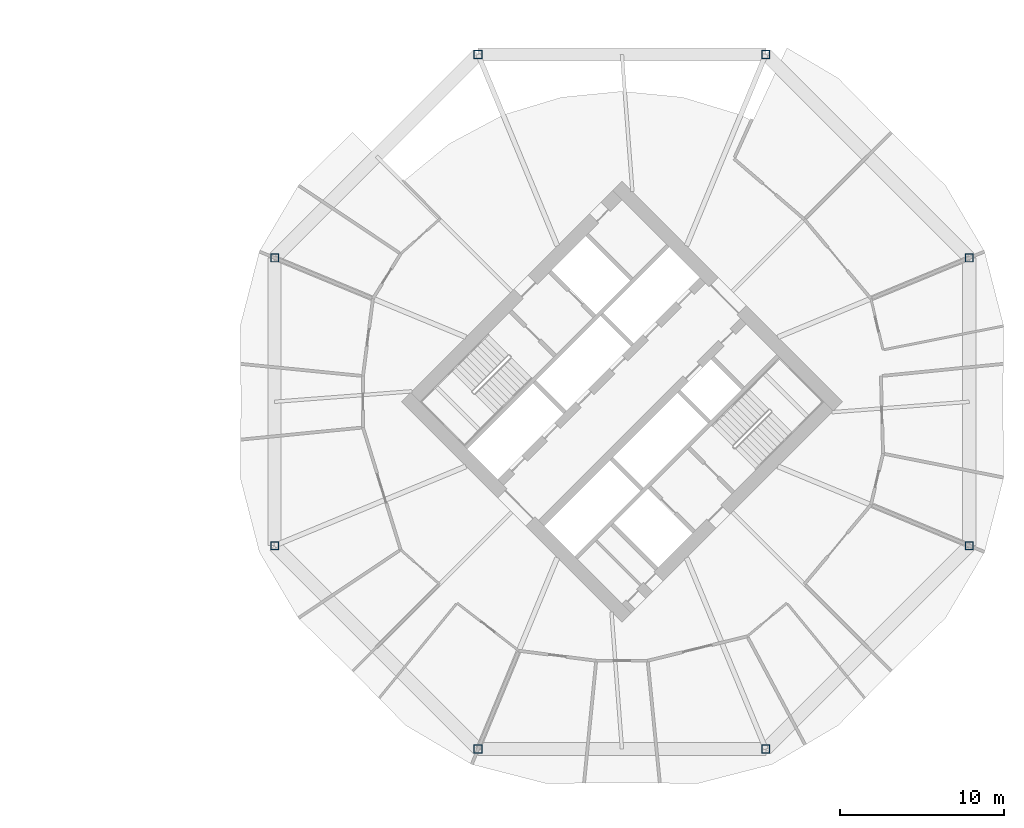
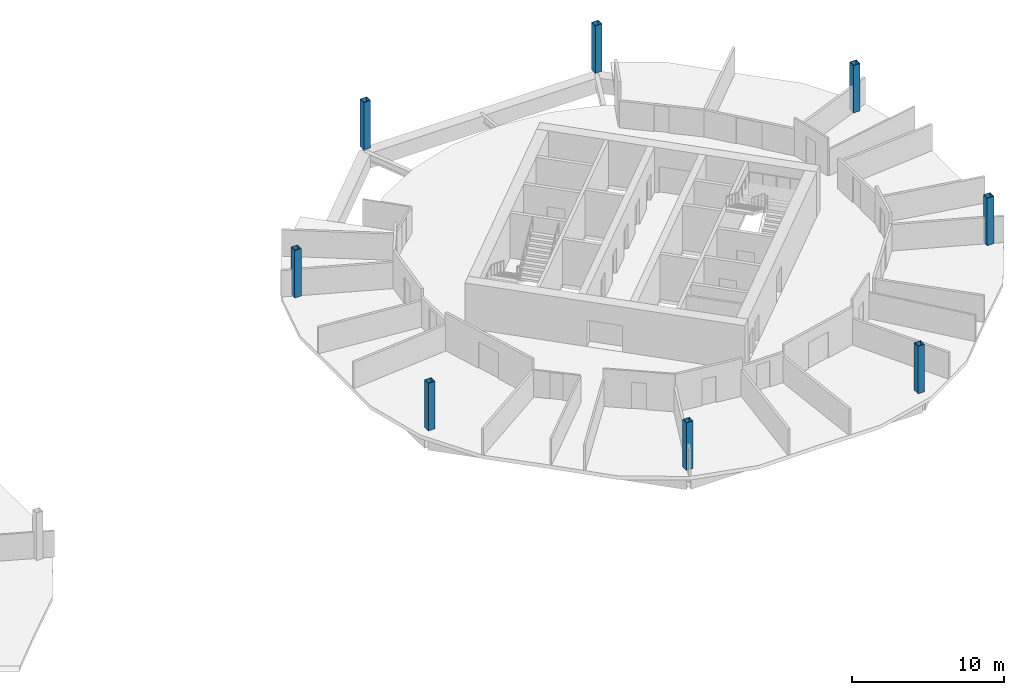
# One storey, part 2 of 9: 8 columns.
"""IFC4 building model written with IfcOpenShell, lengths in metres."""

from ifc_helpers import new_model, si_unit, direction, frame, origin, origin_2d, place, context, subcontext, project, spatial, hollow_rectangle, extrude, material, material_profile, profile_set, type_object, element, save


model = new_model("IFC4")

# Units and contexts
model_context = context("Model", 3, precision=1e-05, world=origin(), true_north=direction((0.0, 1.0)))
body_context = subcontext(model_context, "Body", "Model", "MODEL_VIEW")
ifc_project = project(units=[si_unit("LENGTHUNIT", "METRE"), si_unit("AREAUNIT", "SQUARE_METRE"), si_unit("VOLUMEUNIT", "CUBIC_METRE"), si_unit("PLANEANGLEUNIT", "RADIAN"), si_unit("MASSUNIT", "GRAM", prefix="KILO")], contexts=[model_context])

# Site, building, storey
site_placement = place(None, origin())
site = spatial("IfcSite", under=ifc_project, at=site_placement, CompositionType="ELEMENT")
building_placement = place(site_placement, origin())
building = spatial("IfcBuilding", under=site, at=building_placement, Name="Ogive Gate Towers", CompositionType="ELEMENT")
storey_placement = place(building_placement, frame((0.0, 0.0, 67.5)))
storey = spatial("IfcBuildingStorey", under=building, at=storey_placement, Name="L15", CompositionType="ELEMENT", Elevation=67.5)

# Columns
ifc_material = material(Name="Steel SM460", Category="steel")
ifc_material_profile = material_profile(ifc_material, hollow_rectangle(XDim=0.5, YDim=0.5, WallThickness=0.030029296875, at=origin_2d()), Name="BX 500x500x30")
ifc_profile_set = profile_set([ifc_material_profile], Name="Steel SM460")
column_type = type_object("IfcColumnType", Name="Perimeter post BX 500x500x30", PredefinedType="COLUMN", material=ifc_profile_set)
for number, where, z_axis, x_axis, name in (
    (1, (57.15673828125, 8.763427734375, 0.0), (0.0, 0.0, 1.0), (1.0, 0.0, 0.0), "T2/L15/SCL001"),
    (2, (44.763427734375, 21.15673828125, 0.0), (0.0, 0.0, 1.0), (1.0, 0.0, 0.0), "T2/L15/SCL002"),
    (3, (27.236572265625, 21.15673828125, 0.0), (0.0, 0.0, 1.0), (1.0, 0.0, 0.0), "T2/L15/SCL003"),
    (4, (14.84326171875, 8.763427734375, 0.0), (0.0, 0.0, 1.0), (1.0, 0.0, 0.0), "T2/L15/SCL004"),
    (5, (14.84326171875, -8.763427734375, 0.0), (0.0, 0.0, 1.0), (1.0, 0.0, 0.0), "T2/L15/SCL005"),
    (6, (27.236572265625, -21.15673828125, 0.0), (0.0, 0.0, 1.0), (1.0, 0.0, 0.0), "T2/L15/SCL006"),
    (7, (44.763427734375, -21.15673828125, 0.0), (0.0, 0.0, 1.0), (1.0, 0.0, 0.0), "T2/L15/SCL007"),
    (8, (57.15673828125, -8.763427734375, 0.0), (0.0, 0.0, 1.0), (1.0, 0.0, 0.0), "T2/L15/SCL008"),
):
    element("IfcColumn", number, at=place(storey_placement, frame(where, z_axis=z_axis, x_axis=x_axis)), inside=storey, type_object=column_type, Name=name, PredefinedType="COLUMN", context=body_context, shape_type="SweptSolid", body=[
        extrude(hollow_rectangle(XDim=0.5, YDim=0.5, WallThickness=0.030029296875, at=origin_2d()), origin(), (0.0, 0.0, 1.0), 3.800048828125),
    ])

save(model, "model.ifc")
